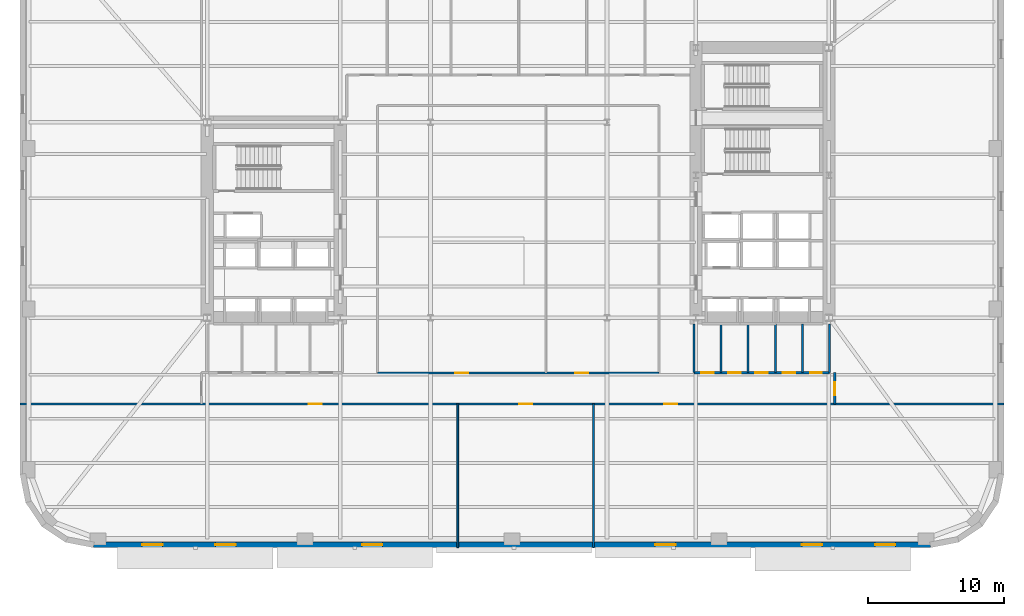
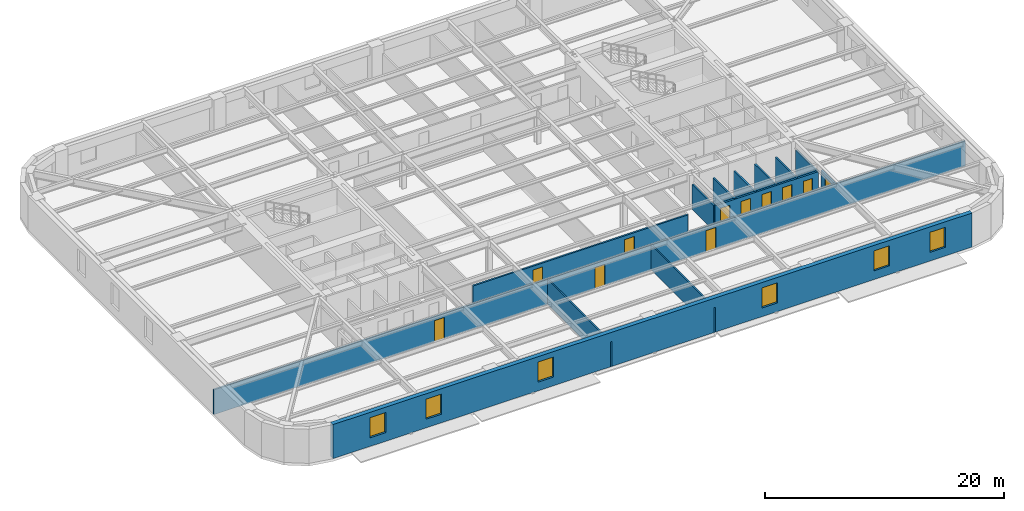
# One storey, part 5 of 15: 13 walls, 11 doors, 6 windows, 17 openings.
"""IFC4 building model written with IfcOpenShell, lengths in metres."""

from ifc_helpers import new_model, si_unit, direction, frame, frame_2d, origin, place, context, subcontext, project, spatial, rectangle, extrude, material, layer, layer_set, type_object, element, fill, save


model = new_model("IFC4")

# Units and contexts
model_context = context("Model", 3, precision=1e-05, world=origin(), true_north=direction((0.0, 1.0)))
body_context = subcontext(model_context, "Body", "Model", "MODEL_VIEW")
ifc_project = project(units=[si_unit("LENGTHUNIT", "METRE"), si_unit("AREAUNIT", "SQUARE_METRE"), si_unit("VOLUMEUNIT", "CUBIC_METRE"), si_unit("PLANEANGLEUNIT", "RADIAN"), si_unit("MASSUNIT", "GRAM", prefix="KILO")], contexts=[model_context])

# Site, building, storey
site_placement = place(None, origin())
site = spatial("IfcSite", under=ifc_project, at=site_placement, CompositionType="ELEMENT")
building_placement = place(site_placement, origin())
building = spatial("IfcBuilding", under=site, at=building_placement, Name="Kolvaren Arena Tower", CompositionType="ELEMENT")
storey_placement = place(building_placement, frame((0.0, 0.0, 68.25)))
storey = spatial("IfcBuildingStorey", under=building, at=storey_placement, Name="L14", CompositionType="ELEMENT", Elevation=68.25)

# Wall, openings, doors
ifc_material_1 = material(Name="Gypsum board acoustic assembly", Category="gypsum")
ifc_layer_1 = layer(ifc_material_1, 0.159912109375)
ifc_layer_set_1 = layer_set([ifc_layer_1], Name="Gypsum board acoustic assembly")
wall_type_1 = type_object("IfcWallType", Name="CORR-160", PredefinedType="PARTITIONING", material=ifc_layer_set_1)
wall_1_placement = place(storey_placement, frame((0.75, 13.10009765625, 0.0), z_axis=(0.0, 0.0, 1.0), x_axis=(1.0, 0.0, 0.0)))
wall_1 = element("IfcWall", 1, at=wall_1_placement, inside=storey, type_object=wall_type_1, Name="Interior Partition Wall (L14)", PredefinedType="PARTITIONING", context=body_context, shape_type="SweptSolid", body=[
    extrude(rectangle(XDim=72.5, YDim=0.159912109375, at=frame_2d((36.25, 0.0))), origin(), (0.0, 0.0, 1.0), 2.5400390625),
])
opening_1_placement = place(wall_1_placement, frame((21.27490234375, 0.0, 0.0)))
opening_1 = element("IfcOpeningElement", 2, at=opening_1_placement, cuts=wall_1, Name="Opening D05", PredefinedType="OPENING", context=body_context, shape_type="SweptSolid", body=[
    extrude(rectangle(XDim=0.949951171875, YDim=2.14990234375, at=frame_2d((0.47509765625, 1.074951171875))), frame((0.0, 0.08984375, 0.0), z_axis=(0.0, -1.0, 0.0), x_axis=(1.0, 0.0, 0.0)), (0.0, 0.0, 1.0), 0.179931640625),
])
opening_2_placement = place(wall_1_placement, frame((36.77490234375, 0.0, 0.0)))
opening_2 = element("IfcOpeningElement", 3, at=opening_2_placement, cuts=wall_1, Name="Opening D05", PredefinedType="OPENING", context=body_context, shape_type="SweptSolid", body=[
    extrude(rectangle(XDim=0.949951171875, YDim=2.14990234375, at=frame_2d((0.47509765625, 1.074951171875))), frame((0.0, 0.08984375, 0.0), z_axis=(0.0, -1.0, 0.0), x_axis=(1.0, 0.0, 0.0)), (0.0, 0.0, 1.0), 0.179931640625),
])
opening_3_placement = place(wall_1_placement, frame((47.47509765625, 0.0, 0.0)))
opening_3 = element("IfcOpeningElement", 4, at=opening_3_placement, cuts=wall_1, Name="Opening D05", PredefinedType="OPENING", context=body_context, shape_type="SweptSolid", body=[
    extrude(rectangle(XDim=0.949951171875, YDim=2.14990234375, at=frame_2d((0.47509765625, 1.074951171875))), frame((0.0, 0.08984375, 0.0), z_axis=(0.0, -1.0, 0.0), x_axis=(1.0, 0.0, 0.0)), (0.0, 0.0, 1.0), 0.179931640625),
])
ifc_material_2 = material(Name="Solid-core oak acoustic office door", Category="wood")
door_type_1 = type_object("IfcDoorType", Name="DOOR-OF-095", OperationType="NOTDEFINED", PredefinedType="DOOR", material=ifc_material_2)
door_1_placement = place(opening_1_placement, origin())
door_1 = element("IfcDoor", 5, at=door_1_placement, inside=storey, type_object=door_type_1, Name="Executive Office Door (L14)", OperationType="SINGLE_SWING_RIGHT", OverallHeight=2.14990234375, OverallWidth=0.949951171875, PredefinedType="DOOR", context=body_context, shape_type="SweptSolid", body=[
    extrude(rectangle(XDim=0.949951171875, YDim=2.14990234375, at=frame_2d((0.47509765625, 1.074951171875))), frame((0.0, 0.02490234375, 0.0), z_axis=(0.0, -1.0, 0.0), x_axis=(1.0, 0.0, 0.0)), (0.0, 0.0, 1.0), 0.050048828125),
])
fill(opening_1, door_1)
door_2_placement = place(opening_2_placement, origin())
door_2 = element("IfcDoor", 6, at=door_2_placement, inside=storey, type_object=door_type_1, Name="Open Plan Office Door (L14)", OperationType="SINGLE_SWING_LEFT", OverallHeight=2.14990234375, OverallWidth=0.949951171875, PredefinedType="DOOR", context=body_context, shape_type="SweptSolid", body=[
    extrude(rectangle(XDim=0.949951171875, YDim=2.14990234375, at=frame_2d((0.47509765625, 1.074951171875))), frame((0.0, 0.02490234375, 0.0), z_axis=(0.0, -1.0, 0.0), x_axis=(1.0, 0.0, 0.0)), (0.0, 0.0, 1.0), 0.050048828125),
])
fill(opening_2, door_2)
door_3_placement = place(opening_3_placement, origin())
door_3 = element("IfcDoor", 7, at=door_3_placement, inside=storey, type_object=door_type_1, Name="Executive Office Door (L14)", OperationType="SINGLE_SWING_RIGHT", OverallHeight=2.14990234375, OverallWidth=0.949951171875, PredefinedType="DOOR", context=body_context, shape_type="SweptSolid", body=[
    extrude(rectangle(XDim=0.949951171875, YDim=2.14990234375, at=frame_2d((0.47509765625, 1.074951171875))), frame((0.0, 0.02490234375, 0.0), z_axis=(0.0, -1.0, 0.0), x_axis=(1.0, 0.0, 0.0)), (0.0, 0.0, 1.0), 0.050048828125),
])
fill(opening_3, door_3)

wall_2_placement = place(storey_placement, frame((27.080078125, 15.3798828125, 0.0), z_axis=(0.0, 0.0, 1.0), x_axis=(1.0, 0.0, 0.0)))
wall_2 = element("IfcWall", 8, at=wall_2_placement, inside=storey, type_object=wall_type_1, Name="Interior Partition Wall (L14)", PredefinedType="PARTITIONING", context=body_context, shape_type="SweptSolid", body=[
    extrude(rectangle(XDim=20.739990234375, YDim=0.159912109375, at=frame_2d((10.3701171875, 0.0))), origin(), (0.0, 0.0, 1.0), 2.5400390625),
])
opening_4_placement = place(wall_2_placement, frame((5.7451171875, 0.0, 0.0)))
opening_4 = element("IfcOpeningElement", 9, at=opening_4_placement, cuts=wall_2, Name="Opening D05", PredefinedType="OPENING", context=body_context, shape_type="SweptSolid", body=[
    extrude(rectangle(XDim=0.949951171875, YDim=2.14990234375, at=frame_2d((0.47509765625, 1.074951171875))), frame((0.0, 0.08984375, 0.0), z_axis=(0.0, -1.0, 0.0), x_axis=(1.0, 0.0, 0.0)), (0.0, 0.0, 1.0), 0.179931640625),
])
opening_5_placement = place(wall_2_placement, frame((14.594970703125, 0.0, 0.0)))
opening_5 = element("IfcOpeningElement", 10, at=opening_5_placement, cuts=wall_2, Name="Opening D05", PredefinedType="OPENING", context=body_context, shape_type="SweptSolid", body=[
    extrude(rectangle(XDim=0.949951171875, YDim=2.14990234375, at=frame_2d((0.47509765625, 1.074951171875))), frame((0.0, 0.08984375, 0.0), z_axis=(0.0, -1.0, 0.0), x_axis=(1.0, 0.0, 0.0)), (0.0, 0.0, 1.0), 0.179931640625),
])
door_4_placement = place(opening_4_placement, origin())
door_4 = element("IfcDoor", 11, at=door_4_placement, inside=storey, type_object=door_type_1, Name="Technical Engineering Office Door (L14)", OperationType="SINGLE_SWING_LEFT", OverallHeight=2.14990234375, OverallWidth=0.949951171875, PredefinedType="DOOR", context=body_context, shape_type="SweptSolid", body=[
    extrude(rectangle(XDim=0.949951171875, YDim=2.14990234375, at=frame_2d((0.47509765625, 1.074951171875))), frame((0.0, 0.02490234375, 0.0), z_axis=(0.0, -1.0, 0.0), x_axis=(1.0, 0.0, 0.0)), (0.0, 0.0, 1.0), 0.050048828125),
])
fill(opening_4, door_4)
door_5_placement = place(opening_5_placement, origin())
door_5 = element("IfcDoor", 12, at=door_5_placement, inside=storey, type_object=door_type_1, Name="Corporate Project Office Door (L14)", OperationType="SINGLE_SWING_RIGHT", OverallHeight=2.14990234375, OverallWidth=0.949951171875, PredefinedType="DOOR", context=body_context, shape_type="SweptSolid", body=[
    extrude(rectangle(XDim=0.949951171875, YDim=2.14990234375, at=frame_2d((0.47509765625, 1.074951171875))), frame((0.0, 0.02490234375, 0.0), z_axis=(0.0, -1.0, 0.0), x_axis=(1.0, 0.0, 0.0)), (0.0, 0.0, 1.0), 0.050048828125),
])
fill(opening_5, door_5)

# Wall, opening, door
wall_3_placement = place(storey_placement, frame((60.780029296875, 13.10009765625, 0.0), z_axis=(0.0, 0.0, 1.0), x_axis=(0.0, 1.0, 0.0)))
wall_3 = element("IfcWall", 13, at=wall_3_placement, inside=storey, type_object=wall_type_1, Name="Interior Partition Wall (L14)", PredefinedType="PARTITIONING", context=body_context, shape_type="SweptSolid", body=[
    extrude(rectangle(XDim=2.2998046875, YDim=0.159912109375, at=frame_2d((1.14990234375, 0.0))), origin(), (0.0, 0.0, 1.0), 2.5400390625),
])
opening_6_placement = place(wall_3_placement, frame((0.64990234375, 0.0, 0.0)))
opening_6 = element("IfcOpeningElement", 14, at=opening_6_placement, cuts=wall_3, Name="Opening D05", PredefinedType="OPENING", context=body_context, shape_type="SweptSolid", body=[
    extrude(rectangle(XDim=0.949951171875, YDim=2.14990234375, at=frame_2d((0.47509765625, 1.074951171875))), frame((0.0, 0.08984375, 0.0), z_axis=(0.0, -1.0, 0.0), x_axis=(1.0, 0.0, 0.0)), (0.0, 0.0, 1.0), 0.179931640625),
])
door_6_placement = place(opening_6_placement, origin())
door_6 = element("IfcDoor", 15, at=door_6_placement, inside=storey, type_object=door_type_1, Name="East Wing Studio Door (L14)", OperationType="SINGLE_SWING_RIGHT", OverallHeight=2.14990234375, OverallWidth=0.949951171875, PredefinedType="DOOR", context=body_context, shape_type="SweptSolid", body=[
    extrude(rectangle(XDim=0.949951171875, YDim=2.14990234375, at=frame_2d((0.47509765625, 1.074951171875))), frame((0.0, 0.02490234375, 0.0), z_axis=(0.0, -1.0, 0.0), x_axis=(1.0, 0.0, 0.0)), (0.0, 0.0, 1.0), 0.050048828125),
])
fill(opening_6, door_6)

# Wall, openings, windows
ifc_material_3 = material(Name="Precast concrete C50/60", Category="concrete")
ifc_layer_2 = layer(ifc_material_3, 0.419921875)
ifc_layer_set_2 = layer_set([ifc_layer_2], Name="Precast concrete C50/60")
wall_type_2 = type_object("IfcWallType", Name="EXT-PIER1", PredefinedType="SOLIDWALL", material=ifc_layer_set_2)
wall_4_placement = place(storey_placement, frame((67.85009765625, 2.7099609375, 0.0), z_axis=(0.0, 0.0, 1.0), x_axis=(-1.0, 0.0, 0.0)))
wall_4 = element("IfcWall", 16, at=wall_4_placement, inside=storey, type_object=wall_type_2, Name="Exterior Precast Masonry-Frame Wall (L14)", PredefinedType="SOLIDWALL", context=body_context, shape_type="SweptSolid", body=[
    extrude(rectangle(XDim=61.7001953125, YDim=0.419921875, at=frame_2d((30.85009765625, 0.0))), origin(), (0.0, 0.0, 1.0), 3.47998046875),
])
opening_7_placement = place(wall_4_placement, frame((2.60009765625, 0.0, 0.8798828125)))
opening_7 = element("IfcOpeningElement", 17, at=opening_7_placement, cuts=wall_4, Name="Opening W03", PredefinedType="OPENING", context=body_context, shape_type="SweptSolid", body=[
    extrude(rectangle(XDim=1.5, YDim=2.050048828125, at=frame_2d((0.75, 1.02490234375))), frame((0.0, 0.219970703125, 0.0), z_axis=(0.0, -1.0, 0.0), x_axis=(1.0, 0.0, 0.0)), (0.0, 0.0, 1.0), 0.43994140625),
])
opening_8_placement = place(wall_4_placement, frame((8.0, 0.0, 0.8798828125)))
opening_8 = element("IfcOpeningElement", 18, at=opening_8_placement, cuts=wall_4, Name="Opening W03", PredefinedType="OPENING", context=body_context, shape_type="SweptSolid", body=[
    extrude(rectangle(XDim=1.5, YDim=2.050048828125, at=frame_2d((0.75, 1.02490234375))), frame((0.0, 0.219970703125, 0.0), z_axis=(0.0, -1.0, 0.0), x_axis=(1.0, 0.0, 0.0)), (0.0, 0.0, 1.0), 0.43994140625),
])
opening_9_placement = place(wall_4_placement, frame((18.800048828125, 0.0, 0.8798828125)))
opening_9 = element("IfcOpeningElement", 19, at=opening_9_placement, cuts=wall_4, Name="Opening W03", PredefinedType="OPENING", context=body_context, shape_type="SweptSolid", body=[
    extrude(rectangle(XDim=1.5, YDim=2.050048828125, at=frame_2d((0.75, 1.02490234375))), frame((0.0, 0.219970703125, 0.0), z_axis=(0.0, -1.0, 0.0), x_axis=(1.0, 0.0, 0.0)), (0.0, 0.0, 1.0), 0.43994140625),
])
opening_10_placement = place(wall_4_placement, frame((40.39990234375, 0.0, 0.8798828125)))
opening_10 = element("IfcOpeningElement", 20, at=opening_10_placement, cuts=wall_4, Name="Opening W03", PredefinedType="OPENING", context=body_context, shape_type="SweptSolid", body=[
    extrude(rectangle(XDim=1.5, YDim=2.050048828125, at=frame_2d((0.75, 1.02490234375))), frame((0.0, 0.219970703125, 0.0), z_axis=(0.0, -1.0, 0.0), x_axis=(1.0, 0.0, 0.0)), (0.0, 0.0, 1.0), 0.43994140625),
])
opening_11_placement = place(wall_4_placement, frame((51.199951171875, 0.0, 0.8798828125)))
opening_11 = element("IfcOpeningElement", 21, at=opening_11_placement, cuts=wall_4, Name="Opening W03", PredefinedType="OPENING", context=body_context, shape_type="SweptSolid", body=[
    extrude(rectangle(XDim=1.5, YDim=2.050048828125, at=frame_2d((0.75, 1.02490234375))), frame((0.0, 0.219970703125, 0.0), z_axis=(0.0, -1.0, 0.0), x_axis=(1.0, 0.0, 0.0)), (0.0, 0.0, 1.0), 0.43994140625),
])
opening_12_placement = place(wall_4_placement, frame((56.60009765625, 0.0, 0.8798828125)))
opening_12 = element("IfcOpeningElement", 22, at=opening_12_placement, cuts=wall_4, Name="Opening W03", PredefinedType="OPENING", context=body_context, shape_type="SweptSolid", body=[
    extrude(rectangle(XDim=1.5, YDim=2.050048828125, at=frame_2d((0.75, 1.02490234375))), frame((0.0, 0.219970703125, 0.0), z_axis=(0.0, -1.0, 0.0), x_axis=(1.0, 0.0, 0.0)), (0.0, 0.0, 1.0), 0.43994140625),
])
ifc_material_4 = material(Name="Triple-glazed low-E aluminium window", Category="aluminium")
window_type = type_object("IfcWindowType", Name="WIN-OFF-C", PartitioningType="SINGLE_PANEL", PredefinedType="WINDOW", material=ifc_material_4)
window_1_placement = place(opening_7_placement, origin())
window_1 = element("IfcWindow", 23, at=window_1_placement, inside=storey, type_object=window_type, Name="Punched Precast-Pier Window (L14)", OverallHeight=2.050048828125, OverallWidth=1.5, PartitioningType="SINGLE_PANEL", PredefinedType="WINDOW", context=body_context, shape_type="SweptSolid", body=[
    extrude(rectangle(XDim=1.5, YDim=2.050048828125, at=frame_2d((0.75, 1.02490234375))), frame((0.0, 0.030029296875, 0.0), z_axis=(0.0, -1.0, 0.0), x_axis=(1.0, 0.0, 0.0)), (0.0, 0.0, 1.0), 0.06005859375),
])
fill(opening_7, window_1)
window_2_placement = place(opening_8_placement, origin())
window_2 = element("IfcWindow", 24, at=window_2_placement, inside=storey, type_object=window_type, Name="Punched Precast-Pier Window (L14)", OverallHeight=2.050048828125, OverallWidth=1.5, PartitioningType="SINGLE_PANEL", PredefinedType="WINDOW", context=body_context, shape_type="SweptSolid", body=[
    extrude(rectangle(XDim=1.5, YDim=2.050048828125, at=frame_2d((0.75, 1.02490234375))), frame((0.0, 0.030029296875, 0.0), z_axis=(0.0, -1.0, 0.0), x_axis=(1.0, 0.0, 0.0)), (0.0, 0.0, 1.0), 0.06005859375),
])
fill(opening_8, window_2)
window_3_placement = place(opening_9_placement, origin())
window_3 = element("IfcWindow", 25, at=window_3_placement, inside=storey, type_object=window_type, Name="Punched Precast-Pier Window (L14)", OverallHeight=2.050048828125, OverallWidth=1.5, PartitioningType="SINGLE_PANEL", PredefinedType="WINDOW", context=body_context, shape_type="SweptSolid", body=[
    extrude(rectangle(XDim=1.5, YDim=2.050048828125, at=frame_2d((0.75, 1.02490234375))), frame((0.0, 0.030029296875, 0.0), z_axis=(0.0, -1.0, 0.0), x_axis=(1.0, 0.0, 0.0)), (0.0, 0.0, 1.0), 0.06005859375),
])
fill(opening_9, window_3)
window_4_placement = place(opening_10_placement, origin())
window_4 = element("IfcWindow", 26, at=window_4_placement, inside=storey, type_object=window_type, Name="Punched Precast-Pier Window (L14)", OverallHeight=2.050048828125, OverallWidth=1.5, PartitioningType="SINGLE_PANEL", PredefinedType="WINDOW", context=body_context, shape_type="SweptSolid", body=[
    extrude(rectangle(XDim=1.5, YDim=2.050048828125, at=frame_2d((0.75, 1.02490234375))), frame((0.0, 0.030029296875, 0.0), z_axis=(0.0, -1.0, 0.0), x_axis=(1.0, 0.0, 0.0)), (0.0, 0.0, 1.0), 0.06005859375),
])
fill(opening_10, window_4)
window_5_placement = place(opening_11_placement, origin())
window_5 = element("IfcWindow", 27, at=window_5_placement, inside=storey, type_object=window_type, Name="Punched Precast-Pier Window (L14)", OverallHeight=2.050048828125, OverallWidth=1.5, PartitioningType="SINGLE_PANEL", PredefinedType="WINDOW", context=body_context, shape_type="SweptSolid", body=[
    extrude(rectangle(XDim=1.5, YDim=2.050048828125, at=frame_2d((0.75, 1.02490234375))), frame((0.0, 0.030029296875, 0.0), z_axis=(0.0, -1.0, 0.0), x_axis=(1.0, 0.0, 0.0)), (0.0, 0.0, 1.0), 0.06005859375),
])
fill(opening_11, window_5)
window_6_placement = place(opening_12_placement, origin())
window_6 = element("IfcWindow", 28, at=window_6_placement, inside=storey, type_object=window_type, Name="Punched Precast-Pier Window (L14)", OverallHeight=2.050048828125, OverallWidth=1.5, PartitioningType="SINGLE_PANEL", PredefinedType="WINDOW", context=body_context, shape_type="SweptSolid", body=[
    extrude(rectangle(XDim=1.5, YDim=2.050048828125, at=frame_2d((0.75, 1.02490234375))), frame((0.0, 0.030029296875, 0.0), z_axis=(0.0, -1.0, 0.0), x_axis=(1.0, 0.0, 0.0)), (0.0, 0.0, 1.0), 0.06005859375),
])
fill(opening_12, window_6)

# Walls
ifc_material_5 = material(Name="Gypsum board partition assembly", Category="gypsum")
ifc_layer_3 = layer(ifc_material_5, 0.135009765625)
ifc_layer_set_3 = layer_set([ifc_layer_3], Name="Gypsum board partition assembly")
wall_type_3 = type_object("IfcWallType", Name="PART-135", PredefinedType="PARTITIONING", material=ifc_layer_set_3)
for number, where, z_axis, x_axis, name in (
    (29, (33.0, 2.5, 0.0), (0.0, 0.0, 1.0), (0.0, 1.0, 0.0), "Interior Partition Wall (L14)"),
    (30, (43.0, 2.5, 0.0), (0.0, 0.0, 1.0), (0.0, 1.0, 0.0), "Interior Partition Wall (L14)"),
):
    element("IfcWall", number, at=place(storey_placement, frame(where, z_axis=z_axis, x_axis=x_axis)), inside=storey, type_object=wall_type_3, Name=name, PredefinedType="PARTITIONING", context=body_context, shape_type="SweptSolid", body=[
        extrude(rectangle(XDim=10.60009765625, YDim=0.135009765625, at=frame_2d((5.300048828125, 0.0))), origin(), (0.0, 0.0, 1.0), 2.5400390625),
    ])

# Wall, openings, doors
ifc_material_6 = material(Name="Concrete 45 MPa", Category="concrete")
ifc_layer_4 = layer(ifc_material_6, 0.25)
ifc_layer_set_4 = layer_set([ifc_layer_4], Name="Concrete 45 MPa")
wall_type_4 = type_object("IfcWallType", Name="SHAFT-250", PredefinedType="SOLIDWALL", material=ifc_layer_set_4)
wall_5_placement = place(storey_placement, frame((50.39990234375, 15.39990234375, 0.0), z_axis=(0.0, 0.0, 1.0), x_axis=(1.0, 0.0, 0.0)))
wall_5 = element("IfcWall", 31, at=wall_5_placement, inside=storey, type_object=wall_type_4, Name="Interior Partition Wall (L14)", PredefinedType="SOLIDWALL", context=body_context, shape_type="SweptSolid", body=[
    extrude(rectangle(XDim=10.0, YDim=0.179931640625, at=frame_2d((5.0, 0.0))), origin(), (0.0, 0.0, 1.0), 2.5400390625),
])
opening_13_placement = place(wall_5_placement, frame((0.5400390625, 0.0, 0.0)))
opening_13 = element("IfcOpeningElement", 32, at=opening_13_placement, cuts=wall_5, Name="Opening D07", PredefinedType="OPENING", context=body_context, shape_type="SweptSolid", body=[
    extrude(rectangle(XDim=0.919921875, YDim=2.10009765625, at=frame_2d((0.4599609375, 1.050048828125))), frame((0.0, 0.099853515625, 0.0), z_axis=(0.0, -1.0, 0.0), x_axis=(1.0, 0.0, 0.0)), (0.0, 0.0, 1.0), 0.199951171875),
])
opening_14_placement = place(wall_5_placement, frame((2.5400390625, 0.0, 0.0)))
opening_14 = element("IfcOpeningElement", 33, at=opening_14_placement, cuts=wall_5, Name="Opening D07", PredefinedType="OPENING", context=body_context, shape_type="SweptSolid", body=[
    extrude(rectangle(XDim=0.919921875, YDim=2.10009765625, at=frame_2d((0.4599609375, 1.050048828125))), frame((0.0, 0.099853515625, 0.0), z_axis=(0.0, -1.0, 0.0), x_axis=(1.0, 0.0, 0.0)), (0.0, 0.0, 1.0), 0.199951171875),
])
opening_15_placement = place(wall_5_placement, frame((4.5400390625, 0.0, 0.0)))
opening_15 = element("IfcOpeningElement", 34, at=opening_15_placement, cuts=wall_5, Name="Opening D07", PredefinedType="OPENING", context=body_context, shape_type="SweptSolid", body=[
    extrude(rectangle(XDim=0.919921875, YDim=2.10009765625, at=frame_2d((0.4599609375, 1.050048828125))), frame((0.0, 0.099853515625, 0.0), z_axis=(0.0, -1.0, 0.0), x_axis=(1.0, 0.0, 0.0)), (0.0, 0.0, 1.0), 0.199951171875),
])
opening_16_placement = place(wall_5_placement, frame((6.5400390625, 0.0, 0.0)))
opening_16 = element("IfcOpeningElement", 35, at=opening_16_placement, cuts=wall_5, Name="Opening D07", PredefinedType="OPENING", context=body_context, shape_type="SweptSolid", body=[
    extrude(rectangle(XDim=0.919921875, YDim=2.10009765625, at=frame_2d((0.4599609375, 1.050048828125))), frame((0.0, 0.099853515625, 0.0), z_axis=(0.0, -1.0, 0.0), x_axis=(1.0, 0.0, 0.0)), (0.0, 0.0, 1.0), 0.199951171875),
])
opening_17_placement = place(wall_5_placement, frame((8.570068359375, 0.0, 0.0)))
opening_17 = element("IfcOpeningElement", 36, at=opening_17_placement, cuts=wall_5, Name="Opening D09", PredefinedType="OPENING", context=body_context, shape_type="SweptSolid", body=[
    extrude(rectangle(XDim=0.860107421875, YDim=2.050048828125, at=frame_2d((0.43017578125, 1.02490234375))), frame((0.0, 0.099853515625, 0.0), z_axis=(0.0, -1.0, 0.0), x_axis=(1.0, 0.0, 0.0)), (0.0, 0.0, 1.0), 0.199951171875),
])
ifc_material_7 = material(Name="Fire-rated steel riser access door", Category="steel")
door_type_2 = type_object("IfcDoorType", Name="DOOR-RS-086", OperationType="NOTDEFINED", PredefinedType="DOOR", material=ifc_material_7)
door_7_placement = place(opening_17_placement, origin())
door_7 = element("IfcDoor", 37, at=door_7_placement, inside=storey, type_object=door_type_2, Name="Telecom Riser Closet Door (L14)", OperationType="SINGLE_SWING_RIGHT", OverallHeight=2.050048828125, OverallWidth=0.860107421875, PredefinedType="DOOR", context=body_context, shape_type="SweptSolid", body=[
    extrude(rectangle(XDim=0.860107421875, YDim=2.050048828125, at=frame_2d((0.43017578125, 1.02490234375))), frame((0.0, 0.02490234375, 0.0), z_axis=(0.0, -1.0, 0.0), x_axis=(1.0, 0.0, 0.0)), (0.0, 0.0, 1.0), 0.050048828125),
])
fill(opening_17, door_7)
ifc_material_8 = material(Name="Laminate universal washroom door", Category="wood")
door_type_3 = type_object("IfcDoorType", Name="DOOR-WC-092", OperationType="NOTDEFINED", PredefinedType="DOOR", material=ifc_material_8)
door_8_placement = place(opening_13_placement, origin())
door_8 = element("IfcDoor", 38, at=door_8_placement, inside=storey, type_object=door_type_3, Name="First Aid Store Door (L14)", OperationType="SINGLE_SWING_RIGHT", OverallHeight=2.10009765625, OverallWidth=0.919921875, PredefinedType="DOOR", context=body_context, shape_type="SweptSolid", body=[
    extrude(rectangle(XDim=0.919921875, YDim=2.10009765625, at=frame_2d((0.4599609375, 1.050048828125))), frame((0.0, 0.02490234375, 0.0), z_axis=(0.0, -1.0, 0.0), x_axis=(1.0, 0.0, 0.0)), (0.0, 0.0, 1.0), 0.050048828125),
])
fill(opening_13, door_8)
door_9_placement = place(opening_14_placement, origin())
door_9 = element("IfcDoor", 39, at=door_9_placement, inside=storey, type_object=door_type_3, Name="Cleaner and Janitor Store Door (L14)", OperationType="SINGLE_SWING_LEFT", OverallHeight=2.10009765625, OverallWidth=0.919921875, PredefinedType="DOOR", context=body_context, shape_type="SweptSolid", body=[
    extrude(rectangle(XDim=0.919921875, YDim=2.10009765625, at=frame_2d((0.4599609375, 1.050048828125))), frame((0.0, 0.02490234375, 0.0), z_axis=(0.0, -1.0, 0.0), x_axis=(1.0, 0.0, 0.0)), (0.0, 0.0, 1.0), 0.050048828125),
])
fill(opening_14, door_9)
door_10_placement = place(opening_15_placement, origin())
door_10 = element("IfcDoor", 40, at=door_10_placement, inside=storey, type_object=door_type_3, Name="Staff Pantry Door (L14)", OperationType="SINGLE_SWING_RIGHT", OverallHeight=2.10009765625, OverallWidth=0.919921875, PredefinedType="DOOR", context=body_context, shape_type="SweptSolid", body=[
    extrude(rectangle(XDim=0.919921875, YDim=2.10009765625, at=frame_2d((0.4599609375, 1.050048828125))), frame((0.0, 0.02490234375, 0.0), z_axis=(0.0, -1.0, 0.0), x_axis=(1.0, 0.0, 0.0)), (0.0, 0.0, 1.0), 0.050048828125),
])
fill(opening_15, door_10)
door_11_placement = place(opening_16_placement, origin())
door_11 = element("IfcDoor", 41, at=door_11_placement, inside=storey, type_object=door_type_3, Name="Gender-Neutral Washroom Door (L14)", OperationType="SINGLE_SWING_LEFT", OverallHeight=2.10009765625, OverallWidth=0.919921875, PredefinedType="DOOR", context=body_context, shape_type="SweptSolid", body=[
    extrude(rectangle(XDim=0.919921875, YDim=2.10009765625, at=frame_2d((0.4599609375, 1.050048828125))), frame((0.0, 0.02490234375, 0.0), z_axis=(0.0, -1.0, 0.0), x_axis=(1.0, 0.0, 0.0)), (0.0, 0.0, 1.0), 0.050048828125),
])
fill(opening_16, door_11)

# Walls
ifc_material_9 = material(Name="Moisture-resistant gypsum assembly", Category="gypsum")
ifc_layer_5 = layer(ifc_material_9, 0.14990234375)
ifc_layer_set_5 = layer_set([ifc_layer_5], Name="Moisture-resistant gypsum assembly")
wall_type_5 = type_object("IfcWallType", Name="WETW-150", PredefinedType="PARTITIONING", material=ifc_layer_set_5)
for number, where, z_axis, x_axis, name in (
    (42, (52.39990234375, 15.39990234375, 0.0), (0.0, 0.0, 1.0), (0.0, 1.0, 0.0), "Interior Partition Wall (L14)"),
    (43, (54.39990234375, 15.39990234375, 0.0), (0.0, 0.0, 1.0), (0.0, 1.0, 0.0), "Interior Partition Wall (L14)"),
    (44, (56.39990234375, 15.39990234375, 0.0), (0.0, 0.0, 1.0), (0.0, 1.0, 0.0), "Interior Partition Wall (L14)"),
    (45, (58.39990234375, 15.39990234375, 0.0), (0.0, 0.0, 1.0), (0.0, 1.0, 0.0), "Interior Partition Wall (L14)"),
    (46, (50.39990234375, 15.39990234375, 0.0), (0.0, 0.0, 1.0), (0.0, 1.0, 0.0), "Interior Partition Wall (L14)"),
    (47, (60.39990234375, 15.39990234375, 0.0), (0.0, 0.0, 1.0), (0.0, 1.0, 0.0), "Interior Partition Wall (L14)"),
):
    element("IfcWall", number, at=place(storey_placement, frame(where, z_axis=z_axis, x_axis=x_axis)), inside=storey, type_object=wall_type_5, Name=name, PredefinedType="PARTITIONING", context=body_context, shape_type="SweptSolid", body=[
        extrude(rectangle(XDim=3.580078125, YDim=0.14990234375, at=frame_2d((1.7900390625, 0.0))), origin(), (0.0, 0.0, 1.0), 2.5400390625),
    ])

save(model, "model.ifc")
